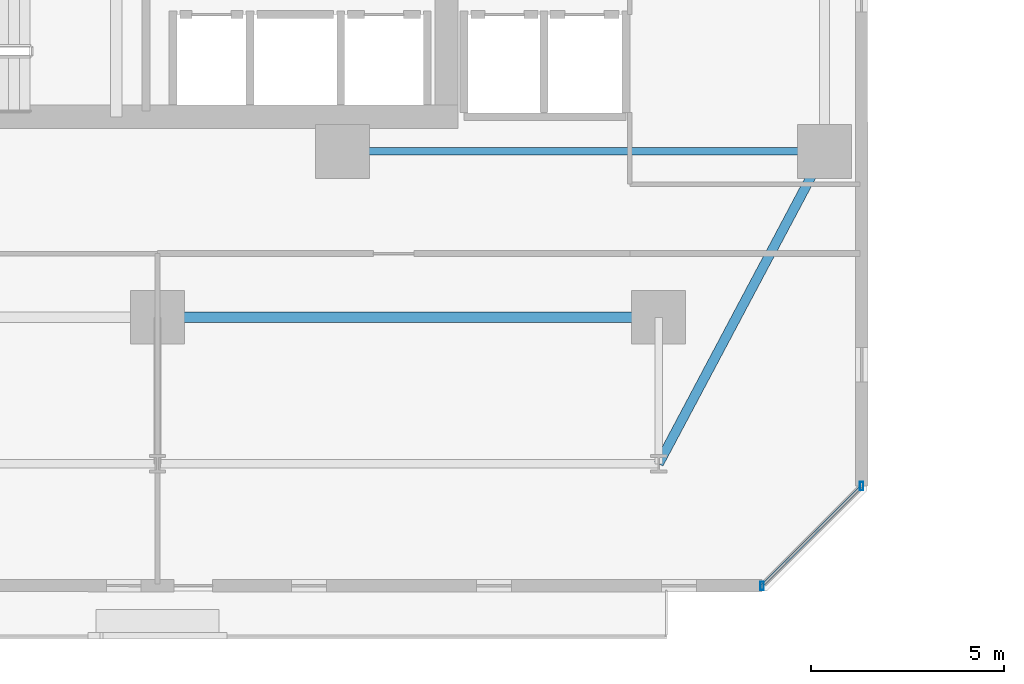
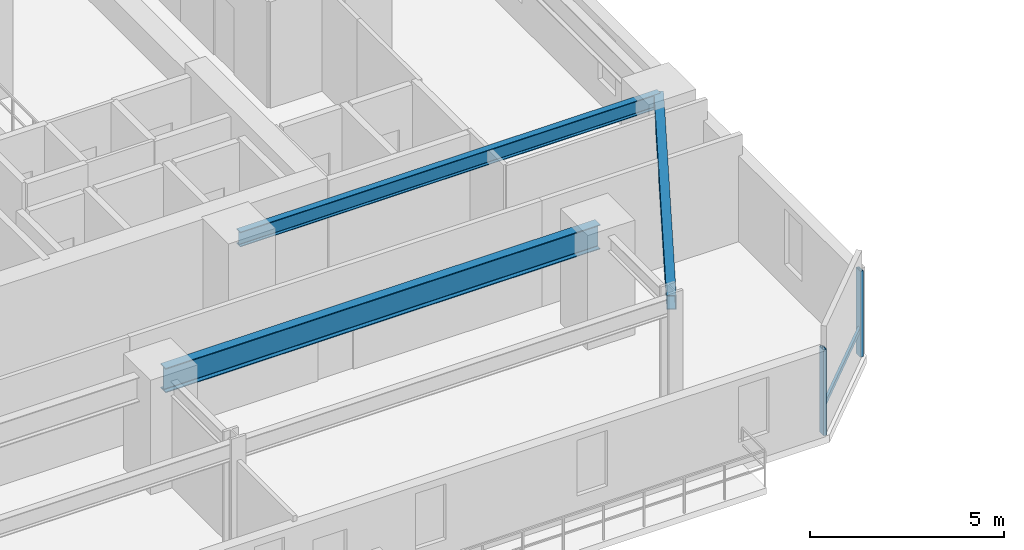
# One storey, part 5 of 33: 3 beams, 3 members, 1 element without a shape of its own.
"""IFC4 building model written with IfcOpenShell, lengths in metres."""

from ifc_helpers import new_model, si_unit, direction, frame, origin, origin_2d, place, context, subcontext, project, spatial, hollow_rectangle, i_section, extrude, material, material_profile, profile_set, type_object, element, aggregate, save


model = new_model("IFC4")

# Units and contexts
model_context = context("Model", 3, precision=1e-05, world=origin(), true_north=direction((0.0, 1.0)))
body_context = subcontext(model_context, "Body", "Model", "MODEL_VIEW")
ifc_project = project(units=[si_unit("LENGTHUNIT", "METRE"), si_unit("AREAUNIT", "SQUARE_METRE"), si_unit("VOLUMEUNIT", "CUBIC_METRE"), si_unit("PLANEANGLEUNIT", "RADIAN"), si_unit("MASSUNIT", "GRAM", prefix="KILO")], contexts=[model_context])

# Site, building, storey
site_placement = place(None, origin())
site = spatial("IfcSite", under=ifc_project, at=site_placement, CompositionType="ELEMENT")
building_placement = place(site_placement, origin())
building = spatial("IfcBuilding", under=site, at=building_placement, Name="Thornwick Lancets Civic Towers", CompositionType="ELEMENT")
storey_placement = place(building_placement, frame((0.0, 0.0, 31.5)))
storey = spatial("IfcBuildingStorey", under=building, at=storey_placement, Name="L07", CompositionType="ELEMENT", Elevation=31.5)

# Beams
ifc_material_1 = material(Name="Steel S355JR", Category="steel")
ifc_material_profile_1 = material_profile(ifc_material_1, i_section(OverallWidth=0.26806640625, OverallDepth=0.769775390625, WebThickness=0.015625, FlangeThickness=0.025390625, FilletRadius=0.0166015625, at=origin_2d()), Name="UKB 762x267x197")
ifc_profile_set_1 = profile_set([ifc_material_profile_1], Name="Steel S355JR")
beam_type_1 = type_object("IfcBeamType", Name="BM_GIRD_762_197", PredefinedType="BEAM", material=ifc_profile_set_1)
beam_1_placement = place(storey_placement, frame((25.580078125, 9.699951171875, 2.97509765625), z_axis=(1.0, 0.0, 0.0), x_axis=(0.0, 1.0, 0.0)))
element("IfcBeam", 1, at=beam_1_placement, inside=storey, type_object=beam_type_1, Name="BM-SPINE-L07-A-1-2", PredefinedType="BEAM", context=body_context, shape_type="SweptSolid", body=[
    extrude(i_section(OverallWidth=0.26806640625, OverallDepth=0.769775390625, WebThickness=0.015625, FlangeThickness=0.025390625, FilletRadius=0.0166015625, at=origin_2d()), origin(), (0.0, 0.0, 1.0), 12.919921875),
])
ifc_material_profile_2 = material_profile(ifc_material_1, i_section(OverallWidth=0.19287109375, OverallDepth=0.46728515625, WebThickness=0.011474609375, FlangeThickness=0.01953125, FilletRadius=0.01025390625, at=origin_2d()), Name="UKB 457x191x98")
ifc_profile_set_2 = profile_set([ifc_material_profile_2], Name="Steel S355JR")
beam_type_2 = type_object("IfcBeamType", Name="BM_JOIST_457_98", PredefinedType="JOIST", material=ifc_profile_set_2)
beam_2_placement = place(storey_placement, frame((30.300048828125, 14.0, 3.12646484375), z_axis=(1.0, 0.0, 0.0), x_axis=(0.0, 1.0, 0.0)))
element("IfcBeam", 2, at=beam_2_placement, inside=storey, type_object=beam_type_2, Name="BM-RADIN-L07-A04", PredefinedType="JOIST", context=body_context, shape_type="SweptSolid", body=[
    extrude(i_section(OverallWidth=0.19287109375, OverallDepth=0.46728515625, WebThickness=0.011474609375, FlangeThickness=0.01953125, FilletRadius=0.01025390625, at=origin_2d()), origin(), (0.0, 0.0, 1.0), 12.5),
])
ifc_material_profile_3 = material_profile(ifc_material_1, hollow_rectangle(XDim=0.25, YDim=0.449951171875, WallThickness=0.01611328125, at=origin_2d()), Name="RHS 450x250x16")
ifc_profile_set_3 = profile_set([ifc_material_profile_3], Name="Steel S355JR")
beam_type_3 = type_object("IfcBeamType", Name="BM_RING_RHS450", PredefinedType="BEAM", material=ifc_profile_set_3)
beam_3_placement = place(storey_placement, frame((38.5, 5.89990234375, 3.135009765625), z_axis=(0.468889189758, 0.883256999818, 0.0), x_axis=(-0.883256999818, 0.468889189758, 0.0)))
element("IfcBeam", 3, at=beam_3_placement, inside=storey, type_object=beam_type_3, Name="BM-CHAMF-L07-A-C0", PredefinedType="BEAM", context=body_context, shape_type="SweptSolid", body=[
    extrude(hollow_rectangle(XDim=0.25, YDim=0.449951171875, WallThickness=0.01611328125, at=origin_2d()), origin(), (0.0, 0.0, 1.0), 9.170654296875),
])

# Curtain wall, members
ifc_material_2 = material(Name="Low-zone chamfered-corner unitised glass curtain wall", Category="glass")
curtain_wall_type = type_object("IfcCurtainWallType", Name="CW_SYS_03", PredefinedType="NOTDEFINED", material=ifc_material_2)
curtain_wall_placement = place(storey_placement, origin())
curtain_wall = element("IfcCurtainWall", 4, at=curtain_wall_placement, inside=storey, type_object=curtain_wall_type, Name="L07 Curtain Wall CW-L07-A-E1", PredefinedType="NOTDEFINED")
ifc_material_3 = material(Name="Thermally broken bronze aluminium S355", Category="steel")
ifc_material_profile_4 = material_profile(ifc_material_3, hollow_rectangle(XDim=0.090087890625, YDim=0.219970703125, WallThickness=0.00634765625, at=origin_2d()), Name="RHS 220x90x6.3")
ifc_profile_set_4 = profile_set([ifc_material_profile_4], Name="Thermally broken bronze aluminium S355")
member_type_1 = type_object("IfcMemberType", Name="CW_MUL_220", PredefinedType="MULLION", material=ifc_profile_set_4)
member_1_placement = place(storey_placement, frame((41.18115234375, 2.735107421875, 0.0), z_axis=(0.0, 0.0, 1.0), x_axis=(1.0, 0.0, 0.0)))
member_1 = element("IfcMember", 5, at=member_1_placement, type_object=member_type_1, Name="CW-L07-A-E1 Mullion 0", PredefinedType="MULLION", context=body_context, shape_type="SweptSolid", body=[
    extrude(hollow_rectangle(XDim=0.090087890625, YDim=0.219970703125, WallThickness=0.00634765625, at=origin_2d()), origin(), (0.0, 0.0, 1.0), 2.699951171875),
])
member_2_placement = place(storey_placement, frame((43.764892578125, 5.31884765625, 0.0), z_axis=(0.0, 0.0, 1.0), x_axis=(1.0, 0.0, 0.0)))
member_2 = element("IfcMember", 6, at=member_2_placement, type_object=member_type_1, Name="CW-L07-A-E1 Mullion 1", PredefinedType="MULLION", context=body_context, shape_type="SweptSolid", body=[
    extrude(hollow_rectangle(XDim=0.090087890625, YDim=0.219970703125, WallThickness=0.00634765625, at=origin_2d()), origin(), (0.0, 0.0, 1.0), 2.699951171875),
])
ifc_material_profile_5 = material_profile(ifc_material_3, hollow_rectangle(XDim=0.074951171875, YDim=0.14990234375, WallThickness=0.0048828125, at=origin_2d()), Name="RHS 150x75x5")
ifc_profile_set_5 = profile_set([ifc_material_profile_5], Name="Thermally broken bronze aluminium S355")
member_type_2 = type_object("IfcMemberType", Name="CW_TRN_150", PredefinedType="USERDEFINED", material=ifc_profile_set_5)
member_3_placement = place(storey_placement, frame((41.1953125, 2.749267578125, 0.85009765625), z_axis=(0.707106781187, 0.707106781187, 0.0), x_axis=(-0.707106781187, 0.707106781187, 0.0)))
member_3 = element("IfcMember", 7, at=member_3_placement, type_object=member_type_2, Name="CW-L07-A-E1 Transom 0", ObjectType="TRANSOM", PredefinedType="USERDEFINED", context=body_context, shape_type="SweptSolid", body=[
    extrude(hollow_rectangle(XDim=0.074951171875, YDim=0.14990234375, WallThickness=0.0048828125, at=origin_2d()), origin(), (0.0, 0.0, 1.0), 3.614013671875),
])
aggregate(curtain_wall, [member_1, member_2, member_3])

save(model, "model.ifc")
